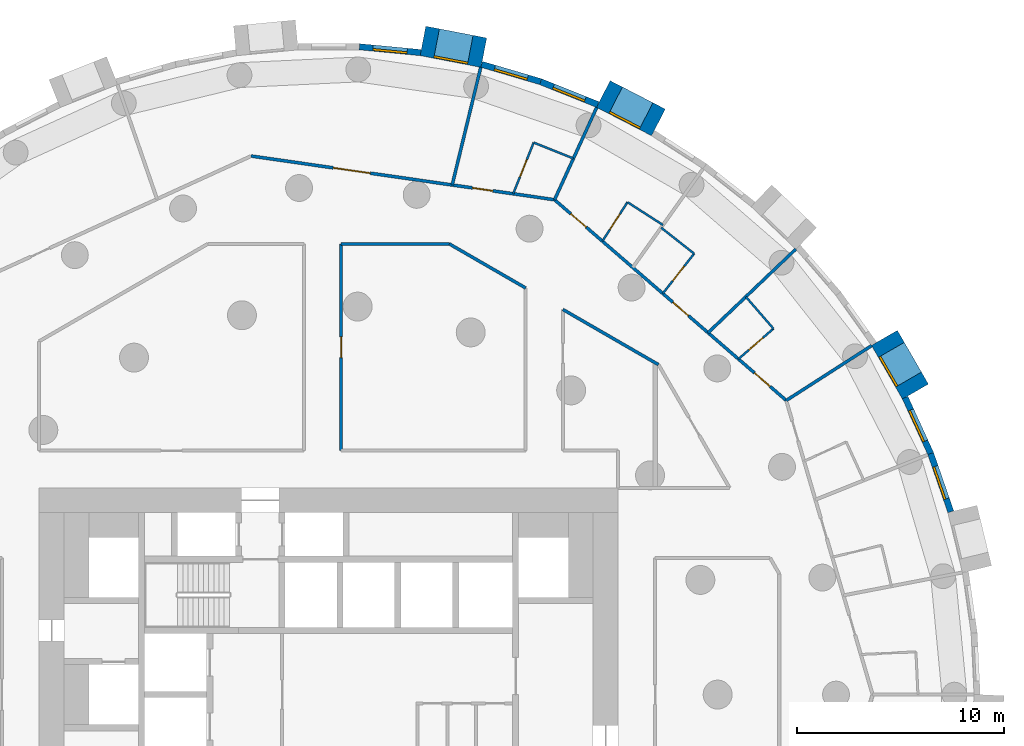
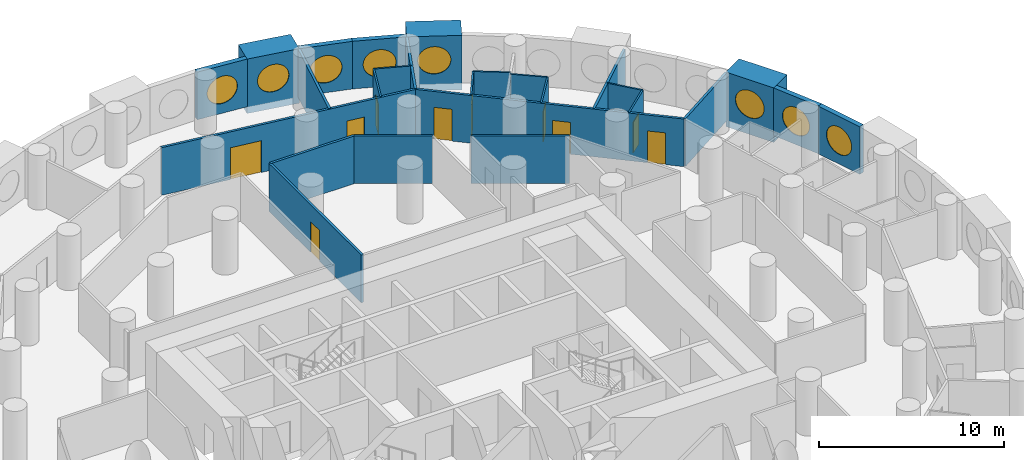
# One storey, part 9 of 12: 26 walls, 10 doors, 8 windows, 18 openings.
"""IFC4 building model written with IfcOpenShell, lengths in metres."""

from ifc_helpers import new_model, si_unit, direction, frame, frame_2d, origin, origin_2d, place, context, subcontext, project, spatial, rectangle, circle, extrude, material, layer, layer_set, type_object, element, fill, save


model = new_model("IFC4")

# Units and contexts
model_context = context("Model", 3, precision=1e-05, world=origin(), true_north=direction((0.0, 1.0)))
body_context = subcontext(model_context, "Body", "Model", "MODEL_VIEW")
ifc_project = project(units=[si_unit("LENGTHUNIT", "METRE"), si_unit("AREAUNIT", "SQUARE_METRE"), si_unit("VOLUMEUNIT", "CUBIC_METRE"), si_unit("PLANEANGLEUNIT", "RADIAN"), si_unit("MASSUNIT", "GRAM", prefix="KILO")], contexts=[model_context])

# Site, building, storey
site_placement = place(None, origin())
site = spatial("IfcSite", under=ifc_project, at=site_placement, CompositionType="ELEMENT")
building_placement = place(site_placement, origin())
building = spatial("IfcBuilding", under=site, at=building_placement, Name="Tracery Tower", CompositionType="ELEMENT")
storey_placement = place(building_placement, frame((0.0, 0.0, 75.0)))
storey = spatial("IfcBuildingStorey", under=building, at=storey_placement, Name="L18", CompositionType="ELEMENT", Elevation=75.0)

# Wall, opening, window
ifc_material_1 = material(Name="Precast concrete C50/60", Category="concrete")
ifc_layer_1 = layer(ifc_material_1, 1.449951171875)
ifc_layer_set_1 = layer_set([ifc_layer_1], Name="Deep-set bay unit 3000 x 3600, slab edge 450")
wall_type_1 = type_object("IfcWallType", Name="Deep-set bay unit 3000 x 3600, slab edge 450", PredefinedType="ELEMENTEDWALL", material=ifc_layer_set_1)
wall_1_placement = place(storey_placement, frame((28.38818359375, 14.657958984375, -0.449951171875), z_axis=(0.0, 0.0, 1.0), x_axis=(-0.499990139034, 0.866031096941, 0.0)))
wall_1 = element("IfcWall", 1, at=wall_1_placement, inside=storey, type_object=wall_type_1, Name="Deep-set bay unit 6 at L18", PredefinedType="ELEMENTEDWALL", context=body_context, shape_type="SweptSolid", body=[
    extrude(rectangle(XDim=3.0, YDim=1.449951171875, at=frame_2d((1.5, 0.0))), origin(), (0.0, 0.0, 1.0), 3.599853515625),
])
opening_1_placement = place(wall_1_placement, frame((1.5, 0.0, 2.0)))
opening_1 = element("IfcOpeningElement", 2, at=opening_1_placement, cuts=wall_1, Name="Opening WN1", PredefinedType="OPENING", context=body_context, shape_type="SweptSolid", body=[
    extrude(circle(Radius=0.9000244140625, at=origin_2d()), frame((0.0, 0.73486328125, 0.0), z_axis=(0.0, -1.0, 0.0), x_axis=(1.0, 0.0, 0.0)), (0.0, 0.0, 1.0), 1.469970703125),
])
ifc_material_2 = material(Name="Aluminium frame with tinted double glazing", Category="aluminium")
window_type = type_object("IfcWindowType", Name="Round window 1800", PartitioningType="SINGLE_PANEL", PredefinedType="WINDOW", material=ifc_material_2)
window_1_placement = place(opening_1_placement, origin())
window_1 = element("IfcWindow", 3, at=window_1_placement, inside=storey, type_object=window_type, Name="Round window 6 at L18", OverallHeight=1.800048828125, OverallWidth=1.800048828125, PartitioningType="SINGLE_PANEL", PredefinedType="WINDOW", context=body_context, shape_type="SweptSolid", body=[
    extrude(circle(Radius=0.9000244140625, at=origin_2d()), frame((0.0, 0.69482421875, 0.0), z_axis=(0.0, -1.0, 0.0), x_axis=(1.0, 0.0, 0.0)), (0.0, 0.0, 1.0), 0.10009765625),
])
fill(opening_1, window_1)

wall_2_placement = place(storey_placement, frame((15.95703125, 27.678955078125, -0.449951171875), z_axis=(0.0, 0.0, 1.0), x_axis=(-0.888858064689, 0.458182650083, 0.0)))
wall_2 = element("IfcWall", 4, at=wall_2_placement, inside=storey, type_object=wall_type_1, Name="Deep-set bay unit 12 at L18", PredefinedType="ELEMENTEDWALL", context=body_context, shape_type="SweptSolid", body=[
    extrude(rectangle(XDim=3.0, YDim=1.449951171875, at=frame_2d((1.5, 0.0))), origin(), (0.0, 0.0, 1.0), 3.599853515625),
])
opening_2_placement = place(wall_2_placement, frame((1.5, 0.0, 2.0)))
opening_2 = element("IfcOpeningElement", 5, at=opening_2_placement, cuts=wall_2, Name="Opening WN1", PredefinedType="OPENING", context=body_context, shape_type="SweptSolid", body=[
    extrude(circle(Radius=0.9000244140625, at=origin_2d()), frame((0.0, 0.73486328125, 0.0), z_axis=(0.0, -1.0, 0.0), x_axis=(1.0, 0.0, 0.0)), (0.0, 0.0, 1.0), 1.469970703125),
])
window_2_placement = place(opening_2_placement, origin())
window_2 = element("IfcWindow", 6, at=window_2_placement, inside=storey, type_object=window_type, Name="Round window 12 at L18", OverallHeight=1.800048828125, OverallWidth=1.800048828125, PartitioningType="SINGLE_PANEL", PredefinedType="WINDOW", context=body_context, shape_type="SweptSolid", body=[
    extrude(circle(Radius=0.9000244140625, at=origin_2d()), frame((0.0, 0.69482421875, 0.0), z_axis=(0.0, -1.0, 0.0), x_axis=(1.0, 0.0, 0.0)), (0.0, 0.0, 1.0), 0.10009765625),
])
fill(opening_2, window_2)

wall_3_placement = place(storey_placement, frame((7.5126953125, 31.05322265625, -0.449951171875), z_axis=(0.0, 0.0, 1.0), x_axis=(-0.981921602273, 0.189288052949, 0.0)))
wall_3 = element("IfcWall", 7, at=wall_3_placement, inside=storey, type_object=wall_type_1, Name="Deep-set bay unit 15 at L18", PredefinedType="ELEMENTEDWALL", context=body_context, shape_type="SweptSolid", body=[
    extrude(rectangle(XDim=3.0, YDim=1.449951171875, at=frame_2d((1.5, 0.0))), origin(), (0.0, 0.0, 1.0), 3.599853515625),
])
opening_3_placement = place(wall_3_placement, frame((1.5, 0.0, 2.0)))
opening_3 = element("IfcOpeningElement", 8, at=opening_3_placement, cuts=wall_3, Name="Opening WN1", PredefinedType="OPENING", context=body_context, shape_type="SweptSolid", body=[
    extrude(circle(Radius=0.9000244140625, at=origin_2d()), frame((0.0, 0.73486328125, 0.0), z_axis=(0.0, -1.0, 0.0), x_axis=(1.0, 0.0, 0.0)), (0.0, 0.0, 1.0), 1.469970703125),
])
window_3_placement = place(opening_3_placement, origin())
window_3 = element("IfcWindow", 9, at=window_3_placement, inside=storey, type_object=window_type, Name="Round window 15 at L18", OverallHeight=1.800048828125, OverallWidth=1.800048828125, PartitioningType="SINGLE_PANEL", PredefinedType="WINDOW", context=body_context, shape_type="SweptSolid", body=[
    extrude(circle(Radius=0.9000244140625, at=origin_2d()), frame((0.0, 0.69482421875, 0.0), z_axis=(0.0, -1.0, 0.0), x_axis=(1.0, 0.0, 0.0)), (0.0, 0.0, 1.0), 0.10009765625),
])
fill(opening_3, window_3)

ifc_material_3 = material(Name="Precast concrete C50/60", Category="concrete")
ifc_layer_2 = layer(ifc_material_3, 0.300048828125)
ifc_layer_set_2 = layer_set([ifc_layer_2], Name="Facade panel 3000 x 3150")
wall_type_2 = type_object("IfcWallType", Name="Facade panel 3000 x 3150", PredefinedType="SOLIDWALL", material=ifc_layer_set_2)
wall_4_placement = place(storey_placement, frame((30.1015625, 8.844970703125, 0.0), z_axis=(0.0, 0.0, 1.0), x_axis=(-0.327096492592, 0.944990944154, 0.0)))
wall_4 = element("IfcWall", 10, at=wall_4_placement, inside=storey, type_object=wall_type_2, Name="Facade panel 4 at L18", PredefinedType="SOLIDWALL", context=body_context, shape_type="SweptSolid", body=[
    extrude(rectangle(XDim=2.9794921875, YDim=0.300048828125, at=frame_2d((1.48974609375, 0.0))), origin(), (0.0, 0.0, 1.0), 3.14990234375),
])
opening_4_placement = place(wall_4_placement, frame((1.48974609375, 0.0, 1.5498046875)))
opening_4 = element("IfcOpeningElement", 11, at=opening_4_placement, cuts=wall_4, Name="Opening WN1", PredefinedType="OPENING", context=body_context, shape_type="SweptSolid", body=[
    extrude(circle(Radius=0.9000244140625, at=origin_2d()), frame((0.0, 0.159912109375, 0.0), z_axis=(0.0, -1.0, 0.0), x_axis=(1.0, 0.0, 0.0)), (0.0, 0.0, 1.0), 0.320068359375),
])
window_4_placement = place(opening_4_placement, origin())
window_4 = element("IfcWindow", 12, at=window_4_placement, inside=storey, type_object=window_type, Name="Round window 4 at L18", OverallHeight=1.800048828125, OverallWidth=1.800048828125, PartitioningType="SINGLE_PANEL", PredefinedType="WINDOW", context=body_context, shape_type="SweptSolid", body=[
    extrude(circle(Radius=0.9000244140625, at=origin_2d()), frame((0.0, 0.1201171875, 0.0), z_axis=(0.0, -1.0, 0.0), x_axis=(1.0, 0.0, 0.0)), (0.0, 0.0, 1.0), 0.10009765625),
])
fill(opening_4, window_4)

wall_5_placement = place(storey_placement, frame((29.126953125, 11.66064453125, 0.0), z_axis=(0.0, 0.0, 1.0), x_axis=(-0.415407317162, 0.909635509888, 0.0)))
wall_5 = element("IfcWall", 13, at=wall_5_placement, inside=storey, type_object=wall_type_2, Name="Facade panel 5 at L18", PredefinedType="SOLIDWALL", context=body_context, shape_type="SweptSolid", body=[
    extrude(rectangle(XDim=2.979736328125, YDim=0.300048828125, at=frame_2d((1.48974609375, 0.0))), origin(), (0.0, 0.0, 1.0), 3.14990234375),
])
opening_5_placement = place(wall_5_placement, frame((1.48974609375, 0.0, 1.5498046875)))
opening_5 = element("IfcOpeningElement", 14, at=opening_5_placement, cuts=wall_5, Name="Opening WN1", PredefinedType="OPENING", context=body_context, shape_type="SweptSolid", body=[
    extrude(circle(Radius=0.9000244140625, at=origin_2d()), frame((0.0, 0.159912109375, 0.0), z_axis=(0.0, -1.0, 0.0), x_axis=(1.0, 0.0, 0.0)), (0.0, 0.0, 1.0), 0.320068359375),
])
window_5_placement = place(opening_5_placement, origin())
window_5 = element("IfcWindow", 15, at=window_5_placement, inside=storey, type_object=window_type, Name="Round window 5 at L18", OverallHeight=1.800048828125, OverallWidth=1.800048828125, PartitioningType="SINGLE_PANEL", PredefinedType="WINDOW", context=body_context, shape_type="SweptSolid", body=[
    extrude(circle(Radius=0.9000244140625, at=origin_2d()), frame((0.0, 0.1201171875, 0.0), z_axis=(0.0, -1.0, 0.0), x_axis=(1.0, 0.0, 0.0)), (0.0, 0.0, 1.0), 0.10009765625),
])
fill(opening_5, window_5)

wall_6_placement = place(storey_placement, frame((13.02783203125, 28.54150390625, 0.0), z_axis=(0.0, 0.0, 1.0), x_axis=(-0.928374947, 0.371644935098, 0.0)))
wall_6 = element("IfcWall", 16, at=wall_6_placement, inside=storey, type_object=wall_type_2, Name="Facade panel 13 at L18", PredefinedType="SOLIDWALL", context=body_context, shape_type="SweptSolid", body=[
    extrude(rectangle(XDim=2.979736328125, YDim=0.300048828125, at=frame_2d((1.48974609375, 0.0))), origin(), (0.0, 0.0, 1.0), 3.14990234375),
])
opening_6_placement = place(wall_6_placement, frame((1.48974609375, 0.0, 1.5498046875)))
opening_6 = element("IfcOpeningElement", 17, at=opening_6_placement, cuts=wall_6, Name="Opening WN1", PredefinedType="OPENING", context=body_context, shape_type="SweptSolid", body=[
    extrude(circle(Radius=0.9000244140625, at=origin_2d()), frame((0.0, 0.159912109375, 0.0), z_axis=(0.0, -1.0, 0.0), x_axis=(1.0, 0.0, 0.0)), (0.0, 0.0, 1.0), 0.320068359375),
])
window_6_placement = place(opening_6_placement, origin())
window_6 = element("IfcWindow", 18, at=window_6_placement, inside=storey, type_object=window_type, Name="Round window 13 at L18", OverallHeight=1.800048828125, OverallWidth=1.800048828125, PartitioningType="SINGLE_PANEL", PredefinedType="WINDOW", context=body_context, shape_type="SweptSolid", body=[
    extrude(circle(Radius=0.9000244140625, at=origin_2d()), frame((0.0, 0.1201171875, 0.0), z_axis=(0.0, -1.0, 0.0), x_axis=(1.0, 0.0, 0.0)), (0.0, 0.0, 1.0), 0.10009765625),
])
fill(opening_6, window_6)

wall_7_placement = place(storey_placement, frame((10.261474609375, 29.64892578125, 0.0), z_axis=(0.0, 0.0, 1.0), x_axis=(-0.959501085144, 0.281704930036, 0.0)))
wall_7 = element("IfcWall", 19, at=wall_7_placement, inside=storey, type_object=wall_type_2, Name="Facade panel 14 at L18", PredefinedType="SOLIDWALL", context=body_context, shape_type="SweptSolid", body=[
    extrude(rectangle(XDim=2.9794921875, YDim=0.300048828125, at=frame_2d((1.48974609375, 0.0))), origin(), (0.0, 0.0, 1.0), 3.14990234375),
])
opening_7_placement = place(wall_7_placement, frame((1.48974609375, 0.0, 1.5498046875)))
opening_7 = element("IfcOpeningElement", 20, at=opening_7_placement, cuts=wall_7, Name="Opening WN1", PredefinedType="OPENING", context=body_context, shape_type="SweptSolid", body=[
    extrude(circle(Radius=0.9000244140625, at=origin_2d()), frame((0.0, 0.159912109375, 0.0), z_axis=(0.0, -1.0, 0.0), x_axis=(1.0, 0.0, 0.0)), (0.0, 0.0, 1.0), 0.320068359375),
])
window_7_placement = place(opening_7_placement, origin())
window_7 = element("IfcWindow", 21, at=window_7_placement, inside=storey, type_object=window_type, Name="Round window 14 at L18", OverallHeight=1.800048828125, OverallWidth=1.800048828125, PartitioningType="SINGLE_PANEL", PredefinedType="WINDOW", context=body_context, shape_type="SweptSolid", body=[
    extrude(circle(Radius=0.9000244140625, at=origin_2d()), frame((0.0, 0.1201171875, 0.0), z_axis=(0.0, -1.0, 0.0), x_axis=(1.0, 0.0, 0.0)), (0.0, 0.0, 1.0), 0.10009765625),
])
fill(opening_7, window_7)

wall_8_placement = place(storey_placement, frame((4.458984375, 31.0556640625, 0.0), z_axis=(0.0, 0.0, 1.0), x_axis=(-0.995472611385, 0.095048829468, 0.0)))
wall_8 = element("IfcWall", 22, at=wall_8_placement, inside=storey, type_object=wall_type_2, Name="Facade panel 16 at L18", PredefinedType="SOLIDWALL", context=body_context, shape_type="SweptSolid", body=[
    extrude(rectangle(XDim=2.9794921875, YDim=0.300048828125, at=frame_2d((1.48974609375, 0.0))), origin(), (0.0, 0.0, 1.0), 3.14990234375),
])
opening_8_placement = place(wall_8_placement, frame((1.48974609375, 0.0, 1.5498046875)))
opening_8 = element("IfcOpeningElement", 23, at=opening_8_placement, cuts=wall_8, Name="Opening WN1", PredefinedType="OPENING", context=body_context, shape_type="SweptSolid", body=[
    extrude(circle(Radius=0.9000244140625, at=origin_2d()), frame((0.0, 0.159912109375, 0.0), z_axis=(0.0, -1.0, 0.0), x_axis=(1.0, 0.0, 0.0)), (0.0, 0.0, 1.0), 0.320068359375),
])
window_8_placement = place(opening_8_placement, origin())
window_8 = element("IfcWindow", 24, at=window_8_placement, inside=storey, type_object=window_type, Name="Round window 16 at L18", OverallHeight=1.800048828125, OverallWidth=1.800048828125, PartitioningType="SINGLE_PANEL", PredefinedType="WINDOW", context=body_context, shape_type="SweptSolid", body=[
    extrude(circle(Radius=0.9000244140625, at=origin_2d()), frame((0.0, 0.1201171875, 0.0), z_axis=(0.0, -1.0, 0.0), x_axis=(1.0, 0.0, 0.0)), (0.0, 0.0, 1.0), 0.10009765625),
])
fill(opening_8, window_8)

# Wall, opening, door
ifc_material_4 = material(Name="Plasterboard on steel studs", Category="steel")
ifc_layer_3 = layer(ifc_material_4, 0.10009765625)
ifc_layer_set_3 = layer_set([ifc_layer_3], Name="Partition 100 wet wall")
wall_type_3 = type_object("IfcWallType", Name="Partition 100 wet wall", PredefinedType="PARTITIONING", material=ifc_layer_set_3)
wall_9_placement = place(storey_placement, frame((19.825927734375, 16.23388671875, 0.0), z_axis=(0.0, 0.0, 1.0), x_axis=(0.755703447798, 0.654913963042, 0.0)))
wall_9 = element("IfcWall", 25, at=wall_9_placement, inside=storey, type_object=wall_type_3, Name="Wet wall RA5-068", PredefinedType="PARTITIONING", context=body_context, shape_type="SweptSolid", body=[
    extrude(rectangle(XDim=2.242919921875, YDim=0.10009765625, at=frame_2d((1.12158203125, 0.0))), origin(), (0.0, 0.0, 1.0), 3.14990234375),
])
opening_9_placement = place(wall_9_placement, frame((0.6708984375, 0.0, 0.0)))
opening_9 = element("IfcOpeningElement", 26, at=opening_9_placement, cuts=wall_9, Name="Opening RA5-16", PredefinedType="OPENING", context=body_context, shape_type="SweptSolid", body=[
    extrude(rectangle(XDim=0.89990234375, YDim=2.0400390625, at=frame_2d((0.449951171875, 1.02001953125))), frame((0.0, 0.050048828125, 0.0), z_axis=(0.0, -1.0, 0.0), x_axis=(1.0, 0.0, 0.0)), (0.0, 0.0, 1.0), 0.10009765625),
])
ifc_material_5 = material(Name="Timber door leaf", Category="wood")
door_type_1 = type_object("IfcDoorType", Name="Door en-suite 900", OperationType="NOTDEFINED", PredefinedType="DOOR", material=ifc_material_5)
door_1_placement = place(opening_9_placement, origin())
door_1 = element("IfcDoor", 27, at=door_1_placement, inside=storey, type_object=door_type_1, Name="En-suite door RA5-16", OperationType="SINGLE_SWING_LEFT", OverallHeight=2.0400390625, OverallWidth=0.89990234375, PredefinedType="DOOR", context=body_context, shape_type="SweptSolid", body=[
    extrude(rectangle(XDim=0.89990234375, YDim=2.0400390625, at=frame_2d((0.449951171875, 1.02001953125))), frame((0.0, 0.02490234375, 0.0), z_axis=(0.0, -1.0, 0.0), x_axis=(1.0, 0.0, 0.0)), (0.0, 0.0, 1.0), 0.050048828125),
])
fill(opening_9, door_1)

# Wall
wall_10_placement = place(storey_placement, frame((20.18408203125, 19.2451171875, 0.0), z_axis=(0.0, 0.0, 1.0), x_axis=(0.655017058368, -0.755614090159, 0.0)))
element("IfcWall", 28, at=wall_10_placement, inside=storey, type_object=wall_type_3, Name="Wet wall RA5-069", PredefinedType="PARTITIONING", context=body_context, shape_type="SweptSolid", body=[
    extrude(rectangle(XDim=2.041015625, YDim=0.10009765625, at=frame_2d((1.0205078125, 0.0))), origin(), (0.0, 0.0, 1.0), 3.14990234375),
])

# Wall, opening, door
wall_11_placement = place(storey_placement, frame((16.16796875, 19.404052734375, 0.0), z_axis=(0.0, 0.0, 1.0), x_axis=(0.618142414415, 0.786066126672, 0.0)))
wall_11 = element("IfcWall", 29, at=wall_11_placement, inside=storey, type_object=wall_type_3, Name="Wet wall RA5-071", PredefinedType="PARTITIONING", context=body_context, shape_type="SweptSolid", body=[
    extrude(rectangle(XDim=2.45263671875, YDim=0.10009765625, at=frame_2d((1.226318359375, 0.0))), origin(), (0.0, 0.0, 1.0), 3.14990234375),
])
opening_10_placement = place(wall_11_placement, frame((0.77587890625, 0.0, 0.0)))
opening_10 = element("IfcOpeningElement", 30, at=opening_10_placement, cuts=wall_11, Name="Opening RA5-18", PredefinedType="OPENING", context=body_context, shape_type="SweptSolid", body=[
    extrude(rectangle(XDim=0.89990234375, YDim=2.0400390625, at=frame_2d((0.449951171875, 1.02001953125))), frame((0.0, 0.050048828125, 0.0), z_axis=(0.0, -1.0, 0.0), x_axis=(1.0, 0.0, 0.0)), (0.0, 0.0, 1.0), 0.10009765625),
])
door_2_placement = place(opening_10_placement, origin())
door_2 = element("IfcDoor", 31, at=door_2_placement, inside=storey, type_object=door_type_1, Name="En-suite door RA5-18", OperationType="SINGLE_SWING_LEFT", OverallHeight=2.0400390625, OverallWidth=0.89990234375, PredefinedType="DOOR", context=body_context, shape_type="SweptSolid", body=[
    extrude(rectangle(XDim=0.89990234375, YDim=2.0400390625, at=frame_2d((0.449951171875, 1.02001953125))), frame((0.0, 0.02490234375, 0.0), z_axis=(0.0, -1.0, 0.0), x_axis=(1.0, 0.0, 0.0)), (0.0, 0.0, 1.0), 0.050048828125),
])
fill(opening_10, door_2)

# Walls
wall_12_placement = place(storey_placement, frame((16.0859375, 22.589111328125, 0.0), z_axis=(0.0, 0.0, 1.0), x_axis=(0.785984904201, -0.618245687707, 0.0)))
element("IfcWall", 32, at=wall_12_placement, inside=storey, type_object=wall_type_3, Name="Wet wall RA5-072", PredefinedType="PARTITIONING", context=body_context, shape_type="SweptSolid", body=[
    extrude(rectangle(XDim=2.033203125, YDim=0.10009765625, at=frame_2d((1.0166015625, 0.0))), origin(), (0.0, 0.0, 1.0), 3.14990234375),
])
wall_13_placement = place(storey_placement, frame((14.4599609375, 23.821044921875, 0.0), z_axis=(0.0, 0.0, 1.0), x_axis=(0.841135728185, -0.540824081168, 0.0)))
element("IfcWall", 33, at=wall_13_placement, inside=storey, type_object=wall_type_3, Name="Wet wall RA5-074", PredefinedType="PARTITIONING", context=body_context, shape_type="SweptSolid", body=[
    extrude(rectangle(XDim=2.041259765625, YDim=0.10009765625, at=frame_2d((1.0205078125, 0.0))), origin(), (0.0, 0.0, 1.0), 3.14990234375),
])

# Wall, opening, door
wall_14_placement = place(storey_placement, frame((13.248046875, 21.93505859375, 0.0), z_axis=(0.0, 0.0, 1.0), x_axis=(0.540597960994, 0.841281073464, 0.0)))
wall_14 = element("IfcWall", 34, at=wall_14_placement, inside=storey, type_object=wall_type_3, Name="Wet wall RA5-075", PredefinedType="PARTITIONING", context=body_context, shape_type="SweptSolid", body=[
    extrude(rectangle(XDim=2.24169921875, YDim=0.10009765625, at=frame_2d((1.120849609375, 0.0))), origin(), (0.0, 0.0, 1.0), 3.14990234375),
])
opening_11_placement = place(wall_14_placement, frame((0.6708984375, 0.0, 0.0)))
opening_11 = element("IfcOpeningElement", 35, at=opening_11_placement, cuts=wall_14, Name="Opening RA5-20", PredefinedType="OPENING", context=body_context, shape_type="SweptSolid", body=[
    extrude(rectangle(XDim=0.89990234375, YDim=2.0400390625, at=frame_2d((0.449951171875, 1.02001953125))), frame((0.0, 0.050048828125, 0.0), z_axis=(0.0, -1.0, 0.0), x_axis=(1.0, 0.0, 0.0)), (0.0, 0.0, 1.0), 0.10009765625),
])
door_3_placement = place(opening_11_placement, origin())
door_3 = element("IfcDoor", 36, at=door_3_placement, inside=storey, type_object=door_type_1, Name="En-suite door RA5-20", OperationType="SINGLE_SWING_RIGHT", OverallHeight=2.0400390625, OverallWidth=0.89990234375, PredefinedType="DOOR", context=body_context, shape_type="SweptSolid", body=[
    extrude(rectangle(XDim=0.89990234375, YDim=2.0400390625, at=frame_2d((0.449951171875, 1.02001953125))), frame((0.0, 0.02490234375, 0.0), z_axis=(0.0, -1.0, 0.0), x_axis=(1.0, 0.0, 0.0)), (0.0, 0.0, 1.0), 0.050048828125),
])
fill(opening_11, door_3)

# Wall
wall_15_placement = place(storey_placement, frame((9.9208984375, 26.7041015625, 0.0), z_axis=(0.0, 0.0, 1.0), x_axis=(0.928346586681, -0.37171577179, 0.0)))
element("IfcWall", 37, at=wall_15_placement, inside=storey, type_object=wall_type_3, Name="Wet wall RA5-077", PredefinedType="PARTITIONING", context=body_context, shape_type="SweptSolid", body=[
    extrude(rectangle(XDim=2.071533203125, YDim=0.10009765625, at=frame_2d((1.03564453125, 0.0))), origin(), (0.0, 0.0, 1.0), 3.14990234375),
])

# Wall, opening, door
wall_16_placement = place(storey_placement, frame((8.929931640625, 24.22802734375, 0.0), z_axis=(0.0, 0.0, 1.0), x_axis=(0.371564281805, 0.928407229876, 0.0)))
wall_16 = element("IfcWall", 38, at=wall_16_placement, inside=storey, type_object=wall_type_3, Name="Wet wall RA5-078", PredefinedType="PARTITIONING", context=body_context, shape_type="SweptSolid", body=[
    extrude(rectangle(XDim=2.6669921875, YDim=0.10009765625, at=frame_2d((1.33349609375, 0.0))), origin(), (0.0, 0.0, 1.0), 3.14990234375),
])
opening_12_placement = place(wall_16_placement, frame((0.884033203125, 0.0, 0.0)))
opening_12 = element("IfcOpeningElement", 39, at=opening_12_placement, cuts=wall_16, Name="Opening RA5-22", PredefinedType="OPENING", context=body_context, shape_type="SweptSolid", body=[
    extrude(rectangle(XDim=0.89990234375, YDim=2.0400390625, at=frame_2d((0.449951171875, 1.02001953125))), frame((0.0, 0.050048828125, 0.0), z_axis=(0.0, -1.0, 0.0), x_axis=(1.0, 0.0, 0.0)), (0.0, 0.0, 1.0), 0.10009765625),
])
door_4_placement = place(opening_12_placement, origin())
door_4 = element("IfcDoor", 40, at=door_4_placement, inside=storey, type_object=door_type_1, Name="En-suite door RA5-22", OperationType="SINGLE_SWING_LEFT", OverallHeight=2.0400390625, OverallWidth=0.89990234375, PredefinedType="DOOR", context=body_context, shape_type="SweptSolid", body=[
    extrude(rectangle(XDim=0.89990234375, YDim=2.0400390625, at=frame_2d((0.449951171875, 1.02001953125))), frame((0.0, 0.02490234375, 0.0), z_axis=(0.0, -1.0, 0.0), x_axis=(1.0, 0.0, 0.0)), (0.0, 0.0, 1.0), 0.050048828125),
])
fill(opening_12, door_4)

# Walls
ifc_material_6 = material(Name="Plasterboard on steel studs", Category="steel")
ifc_layer_4 = layer(ifc_material_6, 0.14990234375)
ifc_layer_set_4 = layer_set([ifc_layer_4], Name="Partition 150 acoustic unit wall")
wall_type_4 = type_object("IfcWallType", Name="Partition 150 acoustic unit wall", PredefinedType="PARTITIONING", material=ifc_layer_set_4)
wall_17_placement = place(storey_placement, frame((22.14111328125, 14.22900390625, 0.0), z_axis=(0.0, 0.0, 1.0), x_axis=(0.841265781699, 0.540621757371, 0.0)))
element("IfcWall", 41, at=wall_17_placement, inside=storey, type_object=wall_type_4, Name="Unit wall RA5-067", PredefinedType="PARTITIONING", context=body_context, shape_type="SweptSolid", body=[
    extrude(rectangle(XDim=4.90576171875, YDim=0.14990234375, at=frame_2d((2.452880859375, 0.0))), origin(), (0.0, 0.0, 1.0), 3.14990234375),
])
wall_18_placement = place(storey_placement, frame((18.359619140625, 17.50537109375, 0.0), z_axis=(0.0, 0.0, 1.0), x_axis=(0.723686703731, 0.690128650937, 0.0)))
element("IfcWall", 42, at=wall_18_placement, inside=storey, type_object=wall_type_4, Name="Unit wall RA5-070", PredefinedType="PARTITIONING", context=body_context, shape_type="SweptSolid", body=[
    extrude(rectangle(XDim=5.8564453125, YDim=0.14990234375, at=frame_2d((2.92822265625, 0.0))), origin(), (0.0, 0.0, 1.0), 3.14990234375),
])
wall_19_placement = place(storey_placement, frame((10.933349609375, 23.939697265625, 0.0), z_axis=(0.0, 0.0, 1.0), x_axis=(0.415286978667, 0.909690455787, 0.0)))
element("IfcWall", 43, at=wall_19_placement, inside=storey, type_object=wall_type_4, Name="Unit wall RA5-076", PredefinedType="PARTITIONING", context=body_context, shape_type="SweptSolid", body=[
    extrude(rectangle(XDim=4.906494140625, YDim=0.14990234375, at=frame_2d((2.453125, 0.0))), origin(), (0.0, 0.0, 1.0), 3.14990234375),
])
wall_20_placement = place(storey_placement, frame((5.98095703125, 24.652099609375, 0.0), z_axis=(0.0, 0.0, 1.0), x_axis=(0.235644168604, 0.971839403298, 0.0)))
element("IfcWall", 44, at=wall_20_placement, inside=storey, type_object=wall_type_4, Name="Unit wall RA5-079", PredefinedType="PARTITIONING", context=body_context, shape_type="SweptSolid", body=[
    extrude(rectangle(XDim=5.85693359375, YDim=0.14990234375, at=frame_2d((2.928466796875, 0.0))), origin(), (0.0, 0.0, 1.0), 3.14990234375),
])

# Wall, openings, doors
ifc_material_7 = material(Name="Plasterboard on steel studs", Category="steel")
ifc_layer_5 = layer(ifc_material_7, 0.14990234375)
ifc_layer_set_5 = layer_set([ifc_layer_5], Name="Partition 150 corridor wall")
wall_type_5 = type_object("IfcWallType", Name="Partition 150 corridor wall", PredefinedType="PARTITIONING", material=ifc_layer_set_5)
wall_21_placement = place(storey_placement, frame((10.93212890625, 23.93896484375, 0.0), z_axis=(0.0, 0.0, 1.0), x_axis=(0.755838982892, -0.654757536757, 0.0)))
wall_21 = element("IfcWall", 45, at=wall_21_placement, inside=storey, type_object=wall_type_5, Name="Corridor wall RA5-021", PredefinedType="PARTITIONING", context=body_context, shape_type="SweptSolid", body=[
    extrude(rectangle(XDim=14.829833984375, YDim=0.14990234375, at=frame_2d((7.4150390625, 0.0))), origin(), (0.0, 0.0, 1.0), 3.14990234375),
])
opening_13_placement = place(wall_21_placement, frame((12.7958984375, 0.0, 0.0)))
opening_13 = element("IfcOpeningElement", 46, at=opening_13_placement, cuts=wall_21, Name="Opening RA5-17", PredefinedType="OPENING", context=body_context, shape_type="SweptSolid", body=[
    extrude(rectangle(XDim=1.0, YDim=2.10009765625, at=frame_2d((0.5, 1.050048828125))), frame((0.0, 0.074951171875, 0.0), z_axis=(0.0, -1.0, 0.0), x_axis=(1.0, 0.0, 0.0)), (0.0, 0.0, 1.0), 0.14990234375),
])
opening_14_placement = place(wall_21_placement, frame((7.571533203125, 0.0, 0.0)))
opening_14 = element("IfcOpeningElement", 47, at=opening_14_placement, cuts=wall_21, Name="Opening RA5-19", PredefinedType="OPENING", context=body_context, shape_type="SweptSolid", body=[
    extrude(rectangle(XDim=1.0, YDim=2.10009765625, at=frame_2d((0.5, 1.050048828125))), frame((0.0, 0.074951171875, 0.0), z_axis=(0.0, -1.0, 0.0), x_axis=(1.0, 0.0, 0.0)), (0.0, 0.0, 1.0), 0.14990234375),
])
opening_15_placement = place(wall_21_placement, frame((1.032958984375, 0.0, 0.0)))
opening_15 = element("IfcOpeningElement", 48, at=opening_15_placement, cuts=wall_21, Name="Opening RA5-21", PredefinedType="OPENING", context=body_context, shape_type="SweptSolid", body=[
    extrude(rectangle(XDim=1.0, YDim=2.10009765625, at=frame_2d((0.5, 1.050048828125))), frame((0.0, 0.074951171875, 0.0), z_axis=(0.0, -1.0, 0.0), x_axis=(1.0, 0.0, 0.0)), (0.0, 0.0, 1.0), 0.14990234375),
])
ifc_material_8 = material(Name="Timber door leaf", Category="wood")
door_type_2 = type_object("IfcDoorType", Name="Door unit entrance 1000", OperationType="NOTDEFINED", PredefinedType="DOOR", material=ifc_material_8)
door_5_placement = place(opening_13_placement, origin())
door_5 = element("IfcDoor", 49, at=door_5_placement, inside=storey, type_object=door_type_2, Name="Unit entrance door RA5-17", OperationType="SINGLE_SWING_LEFT", OverallHeight=2.10009765625, OverallWidth=1.0, PredefinedType="DOOR", context=body_context, shape_type="SweptSolid", body=[
    extrude(rectangle(XDim=1.0, YDim=2.10009765625, at=frame_2d((0.5, 1.050048828125))), frame((0.0, 0.02490234375, 0.0), z_axis=(0.0, -1.0, 0.0), x_axis=(1.0, 0.0, 0.0)), (0.0, 0.0, 1.0), 0.050048828125),
])
fill(opening_13, door_5)
door_6_placement = place(opening_14_placement, origin())
door_6 = element("IfcDoor", 50, at=door_6_placement, inside=storey, type_object=door_type_2, Name="Unit entrance door RA5-19", OperationType="SINGLE_SWING_LEFT", OverallHeight=2.10009765625, OverallWidth=1.0, PredefinedType="DOOR", context=body_context, shape_type="SweptSolid", body=[
    extrude(rectangle(XDim=1.0, YDim=2.10009765625, at=frame_2d((0.5, 1.050048828125))), frame((0.0, 0.02490234375, 0.0), z_axis=(0.0, -1.0, 0.0), x_axis=(1.0, 0.0, 0.0)), (0.0, 0.0, 1.0), 0.050048828125),
])
fill(opening_14, door_6)
door_7_placement = place(opening_15_placement, origin())
door_7 = element("IfcDoor", 51, at=door_7_placement, inside=storey, type_object=door_type_2, Name="Unit entrance door RA5-21", OperationType="SINGLE_SWING_LEFT", OverallHeight=2.10009765625, OverallWidth=1.0, PredefinedType="DOOR", context=body_context, shape_type="SweptSolid", body=[
    extrude(rectangle(XDim=1.0, YDim=2.10009765625, at=frame_2d((0.5, 1.050048828125))), frame((0.0, 0.02490234375, 0.0), z_axis=(0.0, -1.0, 0.0), x_axis=(1.0, 0.0, 0.0)), (0.0, 0.0, 1.0), 0.050048828125),
])
fill(opening_15, door_7)

# Walls
wall_22_placement = place(storey_placement, frame((5.842041015625, 21.802001953125, 0.0), z_axis=(0.0, 0.0, 1.0), x_axis=(0.865983505205, -0.500072563448, 0.0)))
element("IfcWall", 52, at=wall_22_placement, inside=storey, type_object=wall_type_5, Name="Corridor wall RA5-029", PredefinedType="PARTITIONING", context=body_context, shape_type="SweptSolid", body=[
    extrude(rectangle(XDim=4.265380859375, YDim=0.14990234375, at=frame_2d((2.1328125, 0.0))), origin(), (0.0, 0.0, 1.0), 3.14990234375),
])
wall_23_placement = place(storey_placement, frame((0.60791015625, 21.802001953125, 0.0), z_axis=(0.0, 0.0, 1.0), x_axis=(1.0, 0.0, 0.0)))
element("IfcWall", 53, at=wall_23_placement, inside=storey, type_object=wall_type_5, Name="Corridor wall RA5-030", PredefinedType="PARTITIONING", context=body_context, shape_type="SweptSolid", body=[
    extrude(rectangle(XDim=5.234130859375, YDim=0.14990234375, at=frame_2d((2.6171875, 0.0))), origin(), (0.0, 0.0, 1.0), 3.14990234375),
])

# Wall, opening, door
wall_24_placement = place(storey_placement, frame((0.60791015625, 11.800048828125, 0.0), z_axis=(0.0, 0.0, 1.0), x_axis=(0.0, 1.0, 0.0)))
wall_24 = element("IfcWall", 54, at=wall_24_placement, inside=storey, type_object=wall_type_5, Name="Corridor wall RA5-031", PredefinedType="PARTITIONING", context=body_context, shape_type="SweptSolid", body=[
    extrude(rectangle(XDim=10.001953125, YDim=0.14990234375, at=frame_2d((5.0009765625, 0.0))), origin(), (0.0, 0.0, 1.0), 3.14990234375),
])
opening_16_placement = place(wall_24_placement, frame((4.5009765625, 0.0, 0.0)))
opening_16 = element("IfcOpeningElement", 55, at=opening_16_placement, cuts=wall_24, Name="Opening RA5-02", PredefinedType="OPENING", context=body_context, shape_type="SweptSolid", body=[
    extrude(rectangle(XDim=1.0, YDim=2.0400390625, at=frame_2d((0.5, 1.02001953125))), frame((0.0, 0.074951171875, 0.0), z_axis=(0.0, -1.0, 0.0), x_axis=(1.0, 0.0, 0.0)), (0.0, 0.0, 1.0), 0.14990234375),
])
ifc_material_9 = material(Name="Timber door leaf", Category="wood")
door_type_3 = type_object("IfcDoorType", Name="Door communal room 1000", OperationType="NOTDEFINED", PredefinedType="DOOR", material=ifc_material_9)
door_8_placement = place(opening_16_placement, origin())
door_8 = element("IfcDoor", 56, at=door_8_placement, inside=storey, type_object=door_type_3, Name="Communal room door RA5-02", OperationType="SINGLE_SWING_RIGHT", OverallHeight=2.0400390625, OverallWidth=1.0, PredefinedType="DOOR", context=body_context, shape_type="SweptSolid", body=[
    extrude(rectangle(XDim=1.0, YDim=2.0400390625, at=frame_2d((0.5, 1.02001953125))), frame((0.0, 0.02490234375, 0.0), z_axis=(0.0, -1.0, 0.0), x_axis=(1.0, 0.0, 0.0)), (0.0, 0.0, 1.0), 0.050048828125),
])
fill(opening_16, door_8)

# Wall
wall_25_placement = place(storey_placement, frame((11.3359375, 18.6298828125, 0.0), z_axis=(0.0, 0.0, 1.0), x_axis=(0.866056911224, -0.499945423543, 0.0)))
element("IfcWall", 57, at=wall_25_placement, inside=storey, type_object=wall_type_5, Name="Corridor wall RA5-032", PredefinedType="PARTITIONING", context=body_context, shape_type="SweptSolid", body=[
    extrude(rectangle(XDim=5.33935546875, YDim=0.14990234375, at=frame_2d((2.669677734375, 0.0))), origin(), (0.0, 0.0, 1.0), 3.14990234375),
])

# Wall, openings, doors
wall_26_placement = place(storey_placement, frame((-3.74560546875, 26.0537109375, 0.0), z_axis=(0.0, 0.0, 1.0), x_axis=(0.989780545379, -0.142598990138, 0.0)))
wall_26 = element("IfcWall", 58, at=wall_26_placement, inside=storey, type_object=wall_type_5, Name="Corridor wall RA5-034", PredefinedType="PARTITIONING", context=body_context, shape_type="SweptSolid", body=[
    extrude(rectangle(XDim=14.830078125, YDim=0.14990234375, at=frame_2d((7.4150390625, 0.0))), origin(), (0.0, 0.0, 1.0), 3.14990234375),
])
opening_17_placement = place(wall_26_placement, frame((10.81689453125, 0.0, 0.0)))
opening_17 = element("IfcOpeningElement", 59, at=opening_17_placement, cuts=wall_26, Name="Opening RA5-23", PredefinedType="OPENING", context=body_context, shape_type="SweptSolid", body=[
    extrude(rectangle(XDim=1.0, YDim=2.10009765625, at=frame_2d((0.5, 1.050048828125))), frame((0.0, 0.074951171875, 0.0), z_axis=(0.0, -1.0, 0.0), x_axis=(1.0, 0.0, 0.0)), (0.0, 0.0, 1.0), 0.14990234375),
])
opening_18_placement = place(wall_26_placement, frame((4.01611328125, 0.0, 0.0)))
opening_18 = element("IfcOpeningElement", 60, at=opening_18_placement, cuts=wall_26, Name="Opening RA5-24", PredefinedType="OPENING", context=body_context, shape_type="SweptSolid", body=[
    extrude(rectangle(XDim=1.800048828125, YDim=2.10009765625, at=frame_2d((0.89990234375, 1.050048828125))), frame((0.0, 0.074951171875, 0.0), z_axis=(0.0, -1.0, 0.0), x_axis=(1.0, 0.0, 0.0)), (0.0, 0.0, 1.0), 0.14990234375),
])
ifc_material_10 = material(Name="Timber door leaf", Category="wood")
door_type_4 = type_object("IfcDoorType", Name="Door double lounge 1800", OperationType="NOTDEFINED", PredefinedType="DOOR", material=ifc_material_10)
door_9_placement = place(opening_18_placement, origin())
door_9 = element("IfcDoor", 61, at=door_9_placement, inside=storey, type_object=door_type_4, Name="Double lounge door RA5-24", OperationType="DOUBLE_DOOR_SINGLE_SWING", OverallHeight=2.10009765625, OverallWidth=1.800048828125, PredefinedType="DOOR", context=body_context, shape_type="SweptSolid", body=[
    extrude(rectangle(XDim=1.800048828125, YDim=2.10009765625, at=frame_2d((0.89990234375, 1.050048828125))), frame((0.0, 0.02490234375, 0.0), z_axis=(0.0, -1.0, 0.0), x_axis=(1.0, 0.0, 0.0)), (0.0, 0.0, 1.0), 0.050048828125),
])
fill(opening_18, door_9)
door_10_placement = place(opening_17_placement, origin())
door_10 = element("IfcDoor", 62, at=door_10_placement, inside=storey, type_object=door_type_2, Name="Unit entrance door RA5-23", OperationType="SINGLE_SWING_RIGHT", OverallHeight=2.10009765625, OverallWidth=1.0, PredefinedType="DOOR", context=body_context, shape_type="SweptSolid", body=[
    extrude(rectangle(XDim=1.0, YDim=2.10009765625, at=frame_2d((0.5, 1.050048828125))), frame((0.0, 0.02490234375, 0.0), z_axis=(0.0, -1.0, 0.0), x_axis=(1.0, 0.0, 0.0)), (0.0, 0.0, 1.0), 0.050048828125),
])
fill(opening_17, door_10)

save(model, "model.ifc")
